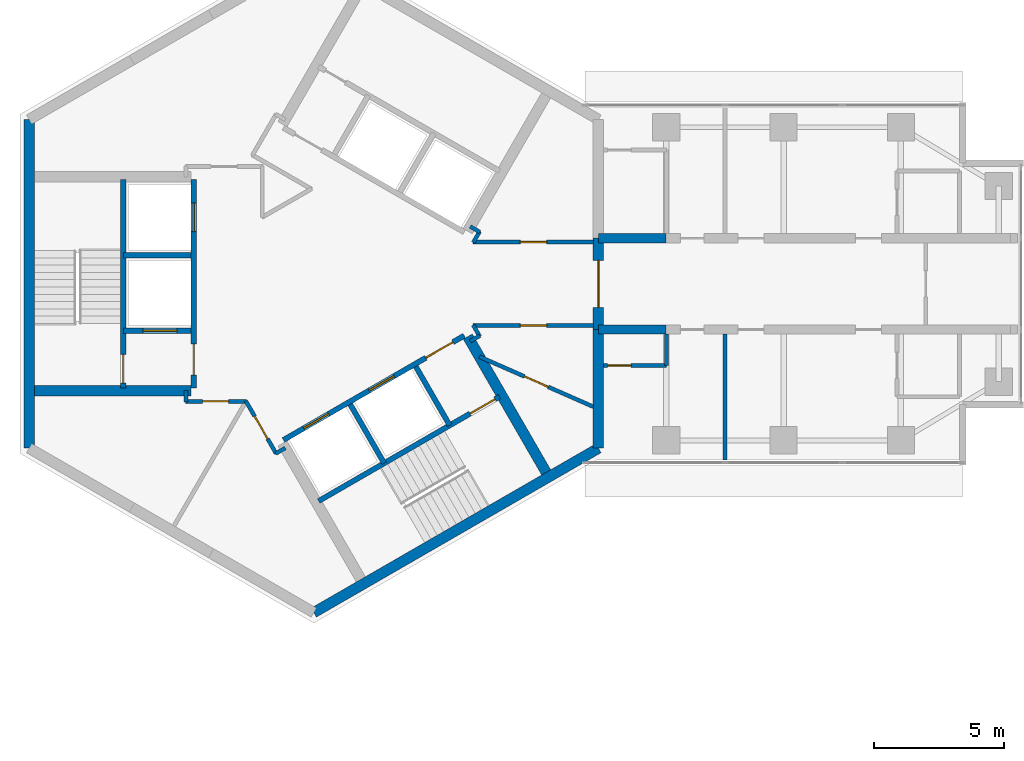
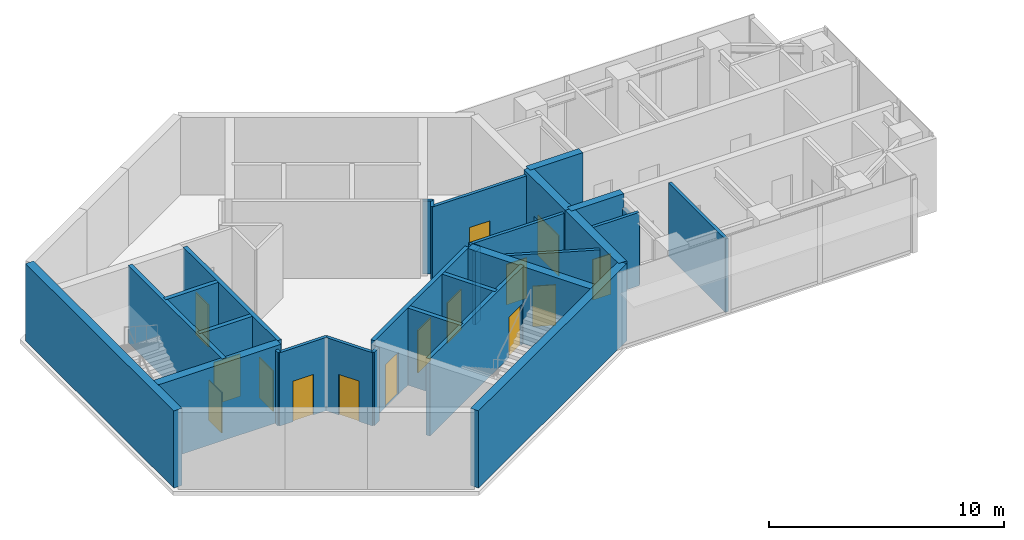
# One storey, part 5 of 11: 30 walls, 15 doors, 15 openings.
"""IFC4 building model written with IfcOpenShell, lengths in metres."""

from ifc_helpers import new_model, si_unit, direction, frame, frame_2d, origin, place, context, subcontext, project, spatial, rectangle, extrude, material, layer, layer_set, type_object, element, fill, save


model = new_model("IFC4")

# Units and contexts
model_context = context("Model", 3, precision=1e-05, world=origin(), true_north=direction((0.0, 1.0)))
body_context = subcontext(model_context, "Body", "Model", "MODEL_VIEW")
ifc_project = project(units=[si_unit("LENGTHUNIT", "METRE"), si_unit("AREAUNIT", "SQUARE_METRE"), si_unit("VOLUMEUNIT", "CUBIC_METRE"), si_unit("PLANEANGLEUNIT", "RADIAN"), si_unit("MASSUNIT", "GRAM", prefix="KILO")], contexts=[model_context])

# Site, building, storey
site_placement = place(None, origin())
site = spatial("IfcSite", under=ifc_project, at=site_placement, CompositionType="ELEMENT")
building_placement = place(site_placement, origin())
building = spatial("IfcBuilding", under=site, at=building_placement, Name="Upepo Twin Towers", CompositionType="ELEMENT")
storey_placement = place(building_placement, frame((0.0, 0.0, 247.5)))
storey = spatial("IfcBuildingStorey", under=building, at=storey_placement, Name="L60", CompositionType="ELEMENT", Elevation=247.5)

# Walls
ifc_material_1 = material(Name="Concrete C60/75", Category="concrete")
ifc_layer_1 = layer(ifc_material_1, 0.35009765625)
ifc_layer_set_1 = layer_set([ifc_layer_1], Name="Concrete C60/75")
wall_type_1 = type_object("IfcWallType", Name="Buttress wall 350 RC", PredefinedType="SHEAR", material=ifc_layer_set_1)
for number, where, z_axis, x_axis, name in (
    (1, (10.908447265625, 1.75, 0.0), (0.0, 0.0, 1.0), (1.0, 0.0, 0.0), "T1 wing A buttress wall L"),
    (2, (10.908447265625, -1.75, 0.0), (0.0, 0.0, 1.0), (1.0, 0.0, 0.0), "T1 wing A buttress wall R"),
):
    element("IfcWall", number, at=place(storey_placement, frame(where, z_axis=z_axis, x_axis=x_axis)), inside=storey, type_object=wall_type_1, Name=name, PredefinedType="SHEAR", context=body_context, shape_type="SweptSolid", body=[
        extrude(rectangle(XDim=2.591552734375, YDim=0.35009765625, at=frame_2d((1.2958984375, 0.0))), origin(), (0.0, 0.0, 1.0), 4.0),
    ])
ifc_material_2 = material(Name="Concrete C60/75", Category="concrete")
ifc_layer_2 = layer(ifc_material_2, 0.39990234375)
ifc_layer_set_2 = layer_set([ifc_layer_2], Name="Concrete C60/75")
wall_type_2 = type_object("IfcWallType", Name="Core wall 400 RC", PredefinedType="SHEAR", material=ifc_layer_set_2)
wall_1_placement = place(storey_placement, frame((10.908447265625, -6.2978515625, 0.0), z_axis=(0.0, 0.0, 1.0), x_axis=(0.0, 1.0, 0.0)))
element("IfcWall", 3, at=wall_1_placement, inside=storey, type_object=wall_type_2, Name="T1 core wall 000 R", PredefinedType="SHEAR", context=body_context, shape_type="SweptSolid", body=[
    extrude(rectangle(XDim=4.5478515625, YDim=0.39990234375, at=frame_2d((2.27392578125, 0.0))), origin(), (0.0, 0.0, 1.0), 4.0),
])

# Wall, opening, door
wall_2_placement = place(storey_placement, frame((10.908447265625, -1.75, 0.0), z_axis=(0.0, 0.0, 1.0), x_axis=(0.0, 1.0, 0.0)))
wall_2 = element("IfcWall", 4, at=wall_2_placement, inside=storey, type_object=wall_type_2, Name="T1 core wall 000", PredefinedType="SHEAR", context=body_context, shape_type="SweptSolid", body=[
    extrude(rectangle(XDim=3.5, YDim=0.39990234375, at=frame_2d((1.75, 0.0))), origin(), (0.0, 0.0, 1.0), 4.0),
])
opening_1_placement = place(wall_2_placement, frame((0.85009765625, 0.0, 0.0)))
opening_1 = element("IfcOpeningElement", 5, at=opening_1_placement, cuts=wall_2, Name="Opening D2", PredefinedType="OPENING", context=body_context, shape_type="SweptSolid", body=[
    extrude(rectangle(XDim=1.800048828125, YDim=2.10009765625, at=frame_2d((0.89990234375, 1.050048828125))), frame((0.0, 0.2099609375, 0.0), z_axis=(0.0, -1.0, 0.0), x_axis=(1.0, 0.0, 0.0)), (0.0, 0.0, 1.0), 0.419921875),
])
ifc_material_3 = material(Name="Timber doorset", Category="wood")
door_type_1 = type_object("IfcDoorType", Name="Corridor double door 1800 FD60", OperationType="DOUBLE_DOOR_DOUBLE_SWING", PredefinedType="DOOR", material=ifc_material_3)
door_1_placement = place(opening_1_placement, origin())
door_1 = element("IfcDoor", 6, at=door_1_placement, inside=storey, type_object=door_type_1, Name="T1 L60 wing A corridor door", OperationType="DOUBLE_DOOR_DOUBLE_SWING", OverallHeight=2.10009765625, OverallWidth=1.800048828125, PredefinedType="DOOR", context=body_context, shape_type="SweptSolid", body=[
    extrude(rectangle(XDim=1.800048828125, YDim=2.10009765625, at=frame_2d((0.89990234375, 1.050048828125))), frame((0.0, 0.02490234375, 0.0), z_axis=(0.0, -1.0, 0.0), x_axis=(1.0, 0.0, 0.0)), (0.0, 0.0, 1.0), 0.050048828125),
])
fill(opening_1, door_1)

# Walls
wall_3_placement = place(storey_placement, frame((-10.908447265625, 6.2978515625, 0.0), z_axis=(0.0, 0.0, 1.0), x_axis=(0.0, -1.0, 0.0)))
element("IfcWall", 7, at=wall_3_placement, inside=storey, type_object=wall_type_2, Name="T1 core wall 180", PredefinedType="SHEAR", context=body_context, shape_type="SweptSolid", body=[
    extrude(rectangle(XDim=12.595703125, YDim=0.39990234375, at=frame_2d((6.2978515625, 0.0))), origin(), (0.0, 0.0, 1.0), 4.0),
])
wall_4_placement = place(storey_placement, frame((0.0, -12.595947265625, 0.0), z_axis=(0.0, 0.0, 1.0), x_axis=(0.866021940709, 0.500005998175, 0.0)))
element("IfcWall", 8, at=wall_4_placement, inside=storey, type_object=wall_type_2, Name="T1 core wall 300", PredefinedType="SHEAR", context=body_context, shape_type="SweptSolid", body=[
    extrude(rectangle(XDim=12.595947265625, YDim=0.39990234375, at=frame_2d((6.2978515625, 0.0))), origin(), (0.0, 0.0, 1.0), 4.0),
])

# Wall, openings, doors
ifc_material_4 = material(Name="Concrete C40/50", Category="concrete")
ifc_layer_3 = layer(ifc_material_4, 0.199951171875)
ifc_layer_set_3 = layer_set([ifc_layer_3], Name="Concrete C40/50")
wall_type_3 = type_object("IfcWallType", Name="Shaft wall 200 RC", PredefinedType="SHEAR", material=ifc_layer_set_3)
wall_5_placement = place(storey_placement, frame((-4.60009765625, 4.0, 0.0), z_axis=(0.0, 0.0, 1.0), x_axis=(0.0, -1.0, 0.0)))
wall_5 = element("IfcWall", 9, at=wall_5_placement, inside=storey, type_object=wall_type_3, Name="T1 core W180 front wall", PredefinedType="SHEAR", context=body_context, shape_type="SweptSolid", body=[
    extrude(rectangle(XDim=8.0, YDim=0.199951171875, at=frame_2d((4.0, 0.0))), origin(), (0.0, 0.0, 1.0), 4.0),
])
opening_2_placement = place(wall_5_placement, frame((6.300048828125, 0.0, 0.0)))
opening_2 = element("IfcOpeningElement", 10, at=opening_2_placement, cuts=wall_5, Name="Opening D4", PredefinedType="OPENING", context=body_context, shape_type="SweptSolid", body=[
    extrude(rectangle(XDim=1.199951171875, YDim=2.10009765625, at=frame_2d((0.60009765625, 1.050048828125))), frame((0.0, 0.10986328125, 0.0), z_axis=(0.0, -1.0, 0.0), x_axis=(1.0, 0.0, 0.0)), (0.0, 0.0, 1.0), 0.219970703125),
])
opening_3_placement = place(wall_5_placement, frame((0.89990234375, 0.0, 0.0)))
opening_3 = element("IfcOpeningElement", 11, at=opening_3_placement, cuts=wall_5, Name="Opening LD1", PredefinedType="OPENING", context=body_context, shape_type="SweptSolid", body=[
    extrude(rectangle(XDim=1.10009765625, YDim=2.199951171875, at=frame_2d((0.550048828125, 1.10009765625))), frame((0.0, 0.10986328125, 0.0), z_axis=(0.0, -1.0, 0.0), x_axis=(1.0, 0.0, 0.0)), (0.0, 0.0, 1.0), 0.219970703125),
])
ifc_material_5 = material(Name="Steel doorset", Category="steel")
door_type_2 = type_object("IfcDoorType", Name="Lift landing door 1100", OperationType="DOUBLE_DOOR_SLIDING", PredefinedType="DOOR", material=ifc_material_5)
door_2_placement = place(opening_3_placement, origin())
door_2 = element("IfcDoor", 12, at=door_2_placement, inside=storey, type_object=door_type_2, Name="T1 L60 lift SV1 landing door", OperationType="DOUBLE_DOOR_SLIDING", OverallHeight=2.199951171875, OverallWidth=1.10009765625, PredefinedType="DOOR", context=body_context, shape_type="SweptSolid", body=[
    extrude(rectangle(XDim=1.10009765625, YDim=2.199951171875, at=frame_2d((0.550048828125, 1.10009765625))), frame((0.0, 0.02490234375, 0.0), z_axis=(0.0, -1.0, 0.0), x_axis=(1.0, 0.0, 0.0)), (0.0, 0.0, 1.0), 0.050048828125),
])
fill(opening_3, door_2)
ifc_material_6 = material(Name="Timber doorset", Category="wood")
door_type_3 = type_object("IfcDoorType", Name="Lobby door 1200 FD60", OperationType="SINGLE_SWING_LEFT", PredefinedType="DOOR", material=ifc_material_6)
door_3_placement = place(opening_2_placement, origin())
door_3 = element("IfcDoor", 13, at=door_3_placement, inside=storey, type_object=door_type_3, Name="T1 L60 W180 lobby door", OperationType="SINGLE_SWING_RIGHT", OverallHeight=2.10009765625, OverallWidth=1.199951171875, PredefinedType="DOOR", context=body_context, shape_type="SweptSolid", body=[
    extrude(rectangle(XDim=1.199951171875, YDim=2.10009765625, at=frame_2d((0.60009765625, 1.050048828125))), frame((0.0, 0.02490234375, 0.0), z_axis=(0.0, -1.0, 0.0), x_axis=(1.0, 0.0, 0.0)), (0.0, 0.0, 1.0), 0.050048828125),
])
fill(opening_2, door_3)

# Wall
wall_6_placement = place(storey_placement, frame((-4.699951171875, 1.10009765625, 0.0), z_axis=(0.0, 0.0, 1.0), x_axis=(-1.0, 0.0, 0.0)))
element("IfcWall", 14, at=wall_6_placement, inside=storey, type_object=wall_type_3, Name="T1 core W180 shaft divider", PredefinedType="SHEAR", context=body_context, shape_type="SweptSolid", body=[
    extrude(rectangle(XDim=2.60009765625, YDim=0.199951171875, at=frame_2d((1.300048828125, 0.0))), origin(), (0.0, 0.0, 1.0), 4.0),
])

# Wall, opening, door
wall_7_placement = place(storey_placement, frame((-4.699951171875, -1.800048828125, 0.0), z_axis=(0.0, 0.0, 1.0), x_axis=(-1.0, 0.0, 0.0)))
wall_7 = element("IfcWall", 15, at=wall_7_placement, inside=storey, type_object=wall_type_3, Name="T1 core W180 lobby wall", PredefinedType="SHEAR", context=body_context, shape_type="SweptSolid", body=[
    extrude(rectangle(XDim=2.60009765625, YDim=0.199951171875, at=frame_2d((1.300048828125, 0.0))), origin(), (0.0, 0.0, 1.0), 4.0),
])
opening_4_placement = place(wall_7_placement, frame((0.550048828125, 0.0, 0.0)))
opening_4 = element("IfcOpeningElement", 16, at=opening_4_placement, cuts=wall_7, Name="Opening LD2", PredefinedType="OPENING", context=body_context, shape_type="SweptSolid", body=[
    extrude(rectangle(XDim=1.300048828125, YDim=2.199951171875, at=frame_2d((0.64990234375, 1.10009765625))), frame((0.0, 0.10986328125, 0.0), z_axis=(0.0, -1.0, 0.0), x_axis=(1.0, 0.0, 0.0)), (0.0, 0.0, 1.0), 0.219970703125),
])
ifc_material_7 = material(Name="Steel doorset", Category="steel")
door_type_4 = type_object("IfcDoorType", Name="Firefighting lift landing door 1300", OperationType="DOUBLE_DOOR_SLIDING", PredefinedType="DOOR", material=ifc_material_7)
door_4_placement = place(opening_4_placement, origin())
door_4 = element("IfcDoor", 17, at=door_4_placement, inside=storey, type_object=door_type_4, Name="T1 L60 firefighting lift landing door", OperationType="DOUBLE_DOOR_SLIDING", OverallHeight=2.199951171875, OverallWidth=1.300048828125, PredefinedType="DOOR", context=body_context, shape_type="SweptSolid", body=[
    extrude(rectangle(XDim=1.300048828125, YDim=2.199951171875, at=frame_2d((0.64990234375, 1.10009765625))), frame((0.0, 0.02490234375, 0.0), z_axis=(0.0, -1.0, 0.0), x_axis=(1.0, 0.0, 0.0)), (0.0, 0.0, 1.0), 0.050048828125),
])
fill(opening_4, door_4)

wall_8_placement = place(storey_placement, frame((-7.300048828125, 4.0, 0.0), z_axis=(0.0, 0.0, 1.0), x_axis=(0.0, -1.0, 0.0)))
wall_8 = element("IfcWall", 18, at=wall_8_placement, inside=storey, type_object=wall_type_3, Name="T1 core W180 stair wall", PredefinedType="SHEAR", context=body_context, shape_type="SweptSolid", body=[
    extrude(rectangle(XDim=8.0, YDim=0.199951171875, at=frame_2d((4.0, 0.0))), origin(), (0.0, 0.0, 1.0), 4.0),
])
opening_5_placement = place(wall_8_placement, frame((6.699951171875, 0.0, 0.0)))
opening_5 = element("IfcOpeningElement", 19, at=opening_5_placement, cuts=wall_8, Name="Opening D3", PredefinedType="OPENING", context=body_context, shape_type="SweptSolid", body=[
    extrude(rectangle(XDim=1.10009765625, YDim=2.10009765625, at=frame_2d((0.550048828125, 1.050048828125))), frame((0.0, 0.10986328125, 0.0), z_axis=(0.0, -1.0, 0.0), x_axis=(1.0, 0.0, 0.0)), (0.0, 0.0, 1.0), 0.219970703125),
])
ifc_material_8 = material(Name="Timber doorset", Category="wood")
door_type_5 = type_object("IfcDoorType", Name="Stair door 1100 FD60", OperationType="SINGLE_SWING_LEFT", PredefinedType="DOOR", material=ifc_material_8)
door_5_placement = place(opening_5_placement, origin())
door_5 = element("IfcDoor", 20, at=door_5_placement, inside=storey, type_object=door_type_5, Name="T1 L60 stair door", OperationType="SINGLE_SWING_RIGHT", OverallHeight=2.10009765625, OverallWidth=1.10009765625, PredefinedType="DOOR", context=body_context, shape_type="SweptSolid", body=[
    extrude(rectangle(XDim=1.10009765625, YDim=2.10009765625, at=frame_2d((0.550048828125, 1.050048828125))), frame((0.0, 0.02490234375, 0.0), z_axis=(0.0, -1.0, 0.0), x_axis=(1.0, 0.0, 0.0)), (0.0, 0.0, 1.0), 0.050048828125),
])
fill(opening_5, door_5)

# Wall, openings, doors
wall_9_placement = place(storey_placement, frame((-1.1640625, -5.983642578125, 0.0), z_axis=(0.0, 0.0, 1.0), x_axis=(0.866026010844, 0.49999894854, 0.0)))
wall_9 = element("IfcWall", 21, at=wall_9_placement, inside=storey, type_object=wall_type_3, Name="T1 core W300 front wall", PredefinedType="SHEAR", context=body_context, shape_type="SweptSolid", body=[
    extrude(rectangle(XDim=8.0, YDim=0.199951171875, at=frame_2d((4.0, 0.0))), origin(), (0.0, 0.0, 1.0), 4.0),
])
opening_6_placement = place(wall_9_placement, frame((6.300048828125, 0.0, 0.0)))
opening_6 = element("IfcOpeningElement", 22, at=opening_6_placement, cuts=wall_9, Name="Opening D4", PredefinedType="OPENING", context=body_context, shape_type="SweptSolid", body=[
    extrude(rectangle(XDim=1.199951171875, YDim=2.10009765625, at=frame_2d((0.60009765625, 1.050048828125))), frame((0.0, 0.10986328125, 0.0), z_axis=(0.0, -1.0, 0.0), x_axis=(1.0, 0.0, 0.0)), (0.0, 0.0, 1.0), 0.219970703125),
])
opening_7_placement = place(wall_9_placement, frame((0.89990234375, 0.0, 0.0)))
opening_7 = element("IfcOpeningElement", 23, at=opening_7_placement, cuts=wall_9, Name="Opening LD1", PredefinedType="OPENING", context=body_context, shape_type="SweptSolid", body=[
    extrude(rectangle(XDim=1.10009765625, YDim=2.199951171875, at=frame_2d((0.550048828125, 1.10009765625))), frame((0.0, 0.10986328125, 0.0), z_axis=(0.0, -1.0, 0.0), x_axis=(1.0, 0.0, 0.0)), (0.0, 0.0, 1.0), 0.219970703125),
])
opening_8_placement = place(wall_9_placement, frame((3.800048828125, 0.0, 0.0)))
opening_8 = element("IfcOpeningElement", 24, at=opening_8_placement, cuts=wall_9, Name="Opening LD1", PredefinedType="OPENING", context=body_context, shape_type="SweptSolid", body=[
    extrude(rectangle(XDim=1.10009765625, YDim=2.199951171875, at=frame_2d((0.550048828125, 1.10009765625))), frame((0.0, 0.10986328125, 0.0), z_axis=(0.0, -1.0, 0.0), x_axis=(1.0, 0.0, 0.0)), (0.0, 0.0, 1.0), 0.219970703125),
])
door_6_placement = place(opening_7_placement, origin())
door_6 = element("IfcDoor", 25, at=door_6_placement, inside=storey, type_object=door_type_2, Name="T1 L60 lift TL1 landing door", OperationType="DOUBLE_DOOR_SLIDING", OverallHeight=2.199951171875, OverallWidth=1.10009765625, PredefinedType="DOOR", context=body_context, shape_type="SweptSolid", body=[
    extrude(rectangle(XDim=1.10009765625, YDim=2.199951171875, at=frame_2d((0.550048828125, 1.10009765625))), frame((0.0, 0.02490234375, 0.0), z_axis=(0.0, -1.0, 0.0), x_axis=(1.0, 0.0, 0.0)), (0.0, 0.0, 1.0), 0.050048828125),
])
fill(opening_7, door_6)
door_7_placement = place(opening_8_placement, origin())
door_7 = element("IfcDoor", 26, at=door_7_placement, inside=storey, type_object=door_type_2, Name="T1 L60 lift TL2 landing door", OperationType="DOUBLE_DOOR_SLIDING", OverallHeight=2.199951171875, OverallWidth=1.10009765625, PredefinedType="DOOR", context=body_context, shape_type="SweptSolid", body=[
    extrude(rectangle(XDim=1.10009765625, YDim=2.199951171875, at=frame_2d((0.550048828125, 1.10009765625))), frame((0.0, 0.02490234375, 0.0), z_axis=(0.0, -1.0, 0.0), x_axis=(1.0, 0.0, 0.0)), (0.0, 0.0, 1.0), 0.050048828125),
])
fill(opening_8, door_7)
door_8_placement = place(opening_6_placement, origin())
door_8 = element("IfcDoor", 27, at=door_8_placement, inside=storey, type_object=door_type_3, Name="T1 L60 W300 lobby door", OperationType="SINGLE_SWING_RIGHT", OverallHeight=2.10009765625, OverallWidth=1.199951171875, PredefinedType="DOOR", context=body_context, shape_type="SweptSolid", body=[
    extrude(rectangle(XDim=1.199951171875, YDim=2.10009765625, at=frame_2d((0.60009765625, 1.050048828125))), frame((0.0, 0.02490234375, 0.0), z_axis=(0.0, -1.0, 0.0), x_axis=(1.0, 0.0, 0.0)), (0.0, 0.0, 1.0), 0.050048828125),
])
fill(opening_6, door_8)

# Walls
wall_10_placement = place(storey_placement, frame((1.3974609375, -4.620361328125, 0.0), z_axis=(0.0, 0.0, 1.0), x_axis=(0.499936506574, -0.866062058628, 0.0)))
element("IfcWall", 28, at=wall_10_placement, inside=storey, type_object=wall_type_3, Name="T1 core W300 shaft divider", PredefinedType="SHEAR", context=body_context, shape_type="SweptSolid", body=[
    extrude(rectangle(XDim=2.599853515625, YDim=0.199951171875, at=frame_2d((1.2998046875, 0.0))), origin(), (0.0, 0.0, 1.0), 4.0),
])
wall_11_placement = place(storey_placement, frame((3.908935546875, -3.17041015625, 0.0), z_axis=(0.0, 0.0, 1.0), x_axis=(0.49997716683, -0.86603858612, 0.0)))
element("IfcWall", 29, at=wall_11_placement, inside=storey, type_object=wall_type_3, Name="T1 core W300 lobby wall", PredefinedType="SHEAR", context=body_context, shape_type="SweptSolid", body=[
    extrude(rectangle(XDim=2.599609375, YDim=0.199951171875, at=frame_2d((1.2998046875, 0.0))), origin(), (0.0, 0.0, 1.0), 4.0),
])

# Wall, opening, door
wall_12_placement = place(storey_placement, frame((0.185791015625, -8.322021484375, 0.0), z_axis=(0.0, 0.0, 1.0), x_axis=(0.866026010844, 0.49999894854, 0.0)))
wall_12 = element("IfcWall", 30, at=wall_12_placement, inside=storey, type_object=wall_type_3, Name="T1 core W300 stair wall", PredefinedType="SHEAR", context=body_context, shape_type="SweptSolid", body=[
    extrude(rectangle(XDim=8.0, YDim=0.199951171875, at=frame_2d((4.0, 0.0))), origin(), (0.0, 0.0, 1.0), 4.0),
])
opening_9_placement = place(wall_12_placement, frame((6.699951171875, 0.0, 0.0)))
opening_9 = element("IfcOpeningElement", 31, at=opening_9_placement, cuts=wall_12, Name="Opening D3", PredefinedType="OPENING", context=body_context, shape_type="SweptSolid", body=[
    extrude(rectangle(XDim=1.10009765625, YDim=2.10009765625, at=frame_2d((0.550048828125, 1.050048828125))), frame((0.0, 0.10986328125, 0.0), z_axis=(0.0, -1.0, 0.0), x_axis=(1.0, 0.0, 0.0)), (0.0, 0.0, 1.0), 0.219970703125),
])
door_9_placement = place(opening_9_placement, origin())
door_9 = element("IfcDoor", 32, at=door_9_placement, inside=storey, type_object=door_type_5, Name="T1 L60 stair door", OperationType="SINGLE_SWING_RIGHT", OverallHeight=2.10009765625, OverallWidth=1.10009765625, PredefinedType="DOOR", context=body_context, shape_type="SweptSolid", body=[
    extrude(rectangle(XDim=1.10009765625, YDim=2.10009765625, at=frame_2d((0.550048828125, 1.050048828125))), frame((0.0, 0.02490234375, 0.0), z_axis=(0.0, -1.0, 0.0), x_axis=(1.0, 0.0, 0.0)), (0.0, 0.0, 1.0), 0.050048828125),
])
fill(opening_9, door_9)

# Walls
ifc_material_9 = material(Name="Concrete C40/50", Category="concrete")
ifc_layer_4 = layer(ifc_material_9, 0.39990234375)
ifc_layer_set_4 = layer_set([ifc_layer_4], Name="Concrete C40/50")
wall_type_4 = type_object("IfcWallType", Name="Shaft wall 400 RC", PredefinedType="SHEAR", material=ifc_layer_set_4)
for number, where, z_axis, x_axis, name in (
    (33, (-4.699951171875, -4.10009765625, 0.0), (0.0, 0.0, 1.0), (-1.0, 0.0, 0.0), "T1 core W180 side wall N"),
    (34, (5.900634765625, -2.020263671875, 0.0), (0.0, 0.0, 1.0), (0.499997979876, -0.866026570101, 0.0), "T1 core W300 side wall N"),
):
    element("IfcWall", number, at=place(storey_placement, frame(where, z_axis=z_axis, x_axis=x_axis)), inside=storey, type_object=wall_type_4, Name=name, PredefinedType="SHEAR", context=body_context, shape_type="SweptSolid", body=[
        extrude(rectangle(XDim=6.00830078125, YDim=0.39990234375, at=frame_2d((3.004150390625, 0.0))), origin(), (0.0, 0.0, 1.0), 4.0),
    ])
ifc_material_10 = material(Name="Gypsum board on steel studs", Category="steel")
ifc_layer_5 = layer(ifc_material_10, 0.14990234375)
ifc_layer_set_5 = layer_set([ifc_layer_5], Name="Teaching partition 150 acoustic")
wall_type_5 = type_object("IfcWallType", Name="Teaching partition 150 acoustic", PredefinedType="PARTITIONING", material=ifc_layer_set_5)
wall_13_placement = place(storey_placement, frame((15.75, -1.925048828125, 0.0), z_axis=(0.0, 0.0, 1.0), x_axis=(0.0, -1.0, 0.0)))
element("IfcWall", 35, at=wall_13_placement, inside=storey, type_object=wall_type_5, Name="T1 partition AR at 15.75", PredefinedType="PARTITIONING", context=body_context, shape_type="SweptSolid", body=[
    extrude(rectangle(XDim=4.824951171875, YDim=0.14990234375, at=frame_2d((2.41259765625, 0.0))), origin(), (0.0, 0.0, 1.0), 3.800048828125),
])

# Wall, opening, door
wall_14_placement = place(storey_placement, frame((11.10791015625, -3.125, 0.0), z_axis=(0.0, 0.0, 1.0), x_axis=(1.0, 0.0, 0.0)))
wall_14 = element("IfcWall", 36, at=wall_14_placement, inside=storey, type_object=wall_type_5, Name="T1 WC bay partition AR at 11.11", PredefinedType="PARTITIONING", context=body_context, shape_type="SweptSolid", body=[
    extrude(rectangle(XDim=2.400146484375, YDim=0.14990234375, at=frame_2d((1.2001953125, 0.0))), origin(), (0.0, 0.0, 1.0), 3.800048828125),
])
opening_10_placement = place(wall_14_placement, frame((0.14990234375, 0.0, 0.0)))
opening_10 = element("IfcOpeningElement", 37, at=opening_10_placement, cuts=wall_14, Name="Opening D14", PredefinedType="OPENING", context=body_context, shape_type="SweptSolid", body=[
    extrude(rectangle(XDim=0.89990234375, YDim=2.10009765625, at=frame_2d((0.449951171875, 1.050048828125))), frame((0.0, 0.0849609375, 0.0), z_axis=(0.0, -1.0, 0.0), x_axis=(1.0, 0.0, 0.0)), (0.0, 0.0, 1.0), 0.169921875),
])
ifc_material_11 = material(Name="Timber doorset", Category="wood")
door_type_6 = type_object("IfcDoorType", Name="Office door 900 FD30", OperationType="SINGLE_SWING_LEFT", PredefinedType="DOOR", material=ifc_material_11)
door_10_placement = place(opening_10_placement, origin())
door_10 = element("IfcDoor", 38, at=door_10_placement, inside=storey, type_object=door_type_6, Name="T1 L60 WC bay inner room door", OperationType="SINGLE_SWING_LEFT", OverallHeight=2.10009765625, OverallWidth=0.89990234375, PredefinedType="DOOR", context=body_context, shape_type="SweptSolid", body=[
    extrude(rectangle(XDim=0.89990234375, YDim=2.10009765625, at=frame_2d((0.449951171875, 1.050048828125))), frame((0.0, 0.02490234375, 0.0), z_axis=(0.0, -1.0, 0.0), x_axis=(1.0, 0.0, 0.0)), (0.0, 0.0, 1.0), 0.050048828125),
])
fill(opening_10, door_10)

# Walls
wall_15_placement = place(storey_placement, frame((13.508056640625, -1.925048828125, 0.0), z_axis=(0.0, 0.0, 1.0), x_axis=(0.0, -1.0, 0.0)))
element("IfcWall", 39, at=wall_15_placement, inside=storey, type_object=wall_type_5, Name="T1 WC bay partition AR end at 13.51", PredefinedType="PARTITIONING", context=body_context, shape_type="SweptSolid", body=[
    extrude(rectangle(XDim=1.199951171875, YDim=0.14990234375, at=frame_2d((0.60009765625, 0.0))), origin(), (0.0, 0.0, 1.0), 3.266845703125),
])
for number, where, z_axis, x_axis, name in (
    (40, (6.364501953125, -1.9833984375, 0.0), (0.0, 0.0, 1.0), (-0.865892400268, -0.500230298122, 0.0), "T1 core room partition 1"),
    (41, (-1.092041015625, -6.28857421875, 0.0), (0.0, 0.0, 1.0), (-0.866138304741, -0.499804398801, 0.0), "T1 core room partition 2"),
):
    element("IfcWall", number, at=place(storey_placement, frame(where, z_axis=z_axis, x_axis=x_axis)), inside=storey, type_object=wall_type_5, Name=name, PredefinedType="PARTITIONING", context=body_context, shape_type="SweptSolid", body=[
        extrude(rectangle(XDim=0.429931640625, YDim=0.14990234375, at=frame_2d((0.21484375, 0.0))), origin(), (0.0, 0.0, 1.0), 3.800048828125),
    ])

# Wall, opening, door
wall_16_placement = place(storey_placement, frame((-1.43701171875, -6.5107421875, 0.0), z_axis=(0.0, 0.0, 1.0), x_axis=(-0.500074377092, 0.865982457891, 0.0)))
wall_16 = element("IfcWall", 42, at=wall_16_placement, inside=storey, type_object=wall_type_5, Name="T1 core room partition 3", PredefinedType="PARTITIONING", context=body_context, shape_type="SweptSolid", body=[
    extrude(rectangle(XDim=2.342041015625, YDim=0.14990234375, at=frame_2d((1.1708984375, 0.0))), origin(), (0.0, 0.0, 1.0), 3.800048828125),
])
opening_11_placement = place(wall_16_placement, frame((0.660888671875, 0.0, 0.0)))
opening_11 = element("IfcOpeningElement", 43, at=opening_11_placement, cuts=wall_16, Name="Opening D1", PredefinedType="OPENING", context=body_context, shape_type="SweptSolid", body=[
    extrude(rectangle(XDim=1.0, YDim=2.10009765625, at=frame_2d((0.5, 1.050048828125))), frame((0.0, 0.0849609375, 0.0), z_axis=(0.0, -1.0, 0.0), x_axis=(1.0, 0.0, 0.0)), (0.0, 0.0, 1.0), 0.169921875),
])
ifc_material_12 = material(Name="Timber doorset", Category="wood")
door_type_7 = type_object("IfcDoorType", Name="Room door 1000 FD30", OperationType="SINGLE_SWING_LEFT", PredefinedType="DOOR", material=ifc_material_12)
door_11_placement = place(opening_11_placement, origin())
door_11 = element("IfcDoor", 44, at=door_11_placement, inside=storey, type_object=door_type_7, Name="T1 L60 core room door K2", OperationType="SINGLE_SWING_LEFT", OverallHeight=2.10009765625, OverallWidth=1.0, PredefinedType="DOOR", context=body_context, shape_type="SweptSolid", body=[
    extrude(rectangle(XDim=1.0, YDim=2.10009765625, at=frame_2d((0.5, 1.050048828125))), frame((0.0, 0.02490234375, 0.0), z_axis=(0.0, -1.0, 0.0), x_axis=(1.0, 0.0, 0.0)), (0.0, 0.0, 1.0), 0.050048828125),
])
fill(opening_11, door_11)

wall_17_placement = place(storey_placement, frame((-2.578125, -4.5, 0.0), z_axis=(0.0, 0.0, 1.0), x_axis=(-1.0, 0.0, 0.0)))
wall_17 = element("IfcWall", 45, at=wall_17_placement, inside=storey, type_object=wall_type_5, Name="T1 core room partition 4", PredefinedType="PARTITIONING", context=body_context, shape_type="SweptSolid", body=[
    extrude(rectangle(XDim=2.341796875, YDim=0.14990234375, at=frame_2d((1.1708984375, 0.0))), origin(), (0.0, 0.0, 1.0), 3.800048828125),
])
opening_12_placement = place(wall_17_placement, frame((0.68115234375, 0.0, 0.0)))
opening_12 = element("IfcOpeningElement", 46, at=opening_12_placement, cuts=wall_17, Name="Opening D1", PredefinedType="OPENING", context=body_context, shape_type="SweptSolid", body=[
    extrude(rectangle(XDim=1.0, YDim=2.10009765625, at=frame_2d((0.5, 1.050048828125))), frame((0.0, 0.0849609375, 0.0), z_axis=(0.0, -1.0, 0.0), x_axis=(1.0, 0.0, 0.0)), (0.0, 0.0, 1.0), 0.169921875),
])
door_12_placement = place(opening_12_placement, origin())
door_12 = element("IfcDoor", 47, at=door_12_placement, inside=storey, type_object=door_type_7, Name="T1 L60 core room door K1", OperationType="SINGLE_SWING_RIGHT", OverallHeight=2.10009765625, OverallWidth=1.0, PredefinedType="DOOR", context=body_context, shape_type="SweptSolid", body=[
    extrude(rectangle(XDim=1.0, YDim=2.10009765625, at=frame_2d((0.5, 1.050048828125))), frame((0.0, 0.02490234375, 0.0), z_axis=(0.0, -1.0, 0.0), x_axis=(1.0, 0.0, 0.0)), (0.0, 0.0, 1.0), 0.050048828125),
])
fill(opening_12, door_12)

# Walls
for number, where, z_axis, x_axis, name in (
    (48, (-4.89990234375, -4.52001953125, 0.0), (0.0, 0.0, 1.0), (0.0, 1.0, 0.0), "T1 core room partition 5"),
    (49, (5.9921875, 2.198486328125, 0.0), (0.0, 0.0, 1.0), (0.865892400268, -0.500230298122, 0.0), "T1 core room partition 13"),
):
    element("IfcWall", number, at=place(storey_placement, frame(where, z_axis=z_axis, x_axis=x_axis)), inside=storey, type_object=wall_type_5, Name=name, PredefinedType="PARTITIONING", context=body_context, shape_type="SweptSolid", body=[
        extrude(rectangle(XDim=0.429931640625, YDim=0.14990234375, at=frame_2d((0.21484375, 0.0))), origin(), (0.0, 0.0, 1.0), 3.800048828125),
    ])
wall_18_placement = place(storey_placement, frame((6.357177734375, 2.0107421875, 0.0), z_axis=(0.0, 0.0, 1.0), x_axis=(-0.50033519877, -0.865831790172, 0.0)))
element("IfcWall", 50, at=wall_18_placement, inside=storey, type_object=wall_type_5, Name="T1 core room partition 14", PredefinedType="PARTITIONING", context=body_context, shape_type="SweptSolid", body=[
    extrude(rectangle(XDim=0.494384765625, YDim=0.14990234375, at=frame_2d((0.2470703125, 0.0))), origin(), (0.0, 0.0, 1.0), 3.800048828125),
])

# Wall, opening, door
wall_19_placement = place(storey_placement, frame((6.099853515625, 1.60009765625, 0.0), z_axis=(0.0, 0.0, 1.0), x_axis=(1.0, 0.0, 0.0)))
wall_19 = element("IfcWall", 51, at=wall_19_placement, inside=storey, type_object=wall_type_5, Name="T1 core room partition 15", PredefinedType="PARTITIONING", context=body_context, shape_type="SweptSolid", body=[
    extrude(rectangle(XDim=4.618408203125, YDim=0.14990234375, at=frame_2d((2.30908203125, 0.0))), origin(), (0.0, 0.0, 1.0), 3.800048828125),
])
opening_13_placement = place(wall_19_placement, frame((1.8193359375, 0.0, 0.0)))
opening_13 = element("IfcOpeningElement", 52, at=opening_13_placement, cuts=wall_19, Name="Opening D1", PredefinedType="OPENING", context=body_context, shape_type="SweptSolid", body=[
    extrude(rectangle(XDim=1.0, YDim=2.10009765625, at=frame_2d((0.5, 1.050048828125))), frame((0.0, 0.0849609375, 0.0), z_axis=(0.0, -1.0, 0.0), x_axis=(1.0, 0.0, 0.0)), (0.0, 0.0, 1.0), 0.169921875),
])
door_13_placement = place(opening_13_placement, origin())
door_13 = element("IfcDoor", 53, at=door_13_placement, inside=storey, type_object=door_type_7, Name="T1 L60 core room door K5", OperationType="SINGLE_SWING_RIGHT", OverallHeight=2.10009765625, OverallWidth=1.0, PredefinedType="DOOR", context=body_context, shape_type="SweptSolid", body=[
    extrude(rectangle(XDim=1.0, YDim=2.10009765625, at=frame_2d((0.5, 1.050048828125))), frame((0.0, 0.02490234375, 0.0), z_axis=(0.0, -1.0, 0.0), x_axis=(1.0, 0.0, 0.0)), (0.0, 0.0, 1.0), 0.050048828125),
])
fill(opening_13, door_13)

wall_20_placement = place(storey_placement, frame((10.71826171875, -1.60009765625, 0.0), z_axis=(0.0, 0.0, 1.0), x_axis=(-1.0, 0.0, 0.0)))
wall_20 = element("IfcWall", 54, at=wall_20_placement, inside=storey, type_object=wall_type_5, Name="T1 core room partition 16", PredefinedType="PARTITIONING", context=body_context, shape_type="SweptSolid", body=[
    extrude(rectangle(XDim=4.618408203125, YDim=0.14990234375, at=frame_2d((2.30908203125, 0.0))), origin(), (0.0, 0.0, 1.0), 3.800048828125),
])
opening_14_placement = place(wall_20_placement, frame((1.799072265625, 0.0, 0.0)))
opening_14 = element("IfcOpeningElement", 55, at=opening_14_placement, cuts=wall_20, Name="Opening D1", PredefinedType="OPENING", context=body_context, shape_type="SweptSolid", body=[
    extrude(rectangle(XDim=1.0, YDim=2.10009765625, at=frame_2d((0.5, 1.050048828125))), frame((0.0, 0.0849609375, 0.0), z_axis=(0.0, -1.0, 0.0), x_axis=(1.0, 0.0, 0.0)), (0.0, 0.0, 1.0), 0.169921875),
])
door_14_placement = place(opening_14_placement, origin())
door_14 = element("IfcDoor", 56, at=door_14_placement, inside=storey, type_object=door_type_7, Name="T1 L60 core room door K3", OperationType="SINGLE_SWING_LEFT", OverallHeight=2.10009765625, OverallWidth=1.0, PredefinedType="DOOR", context=body_context, shape_type="SweptSolid", body=[
    extrude(rectangle(XDim=1.0, YDim=2.10009765625, at=frame_2d((0.5, 1.050048828125))), frame((0.0, 0.02490234375, 0.0), z_axis=(0.0, -1.0, 0.0), x_axis=(1.0, 0.0, 0.0)), (0.0, 0.0, 1.0), 0.050048828125),
])
fill(opening_14, door_14)

# Wall
wall_21_placement = place(storey_placement, frame((6.10986328125, -1.582763671875, 0.0), z_axis=(0.0, 0.0, 1.0), x_axis=(0.50033519877, -0.865831790172, 0.0)))
element("IfcWall", 57, at=wall_21_placement, inside=storey, type_object=wall_type_5, Name="T1 core room partition 17", PredefinedType="PARTITIONING", context=body_context, shape_type="SweptSolid", body=[
    extrude(rectangle(XDim=0.494384765625, YDim=0.14990234375, at=frame_2d((0.2470703125, 0.0))), origin(), (0.0, 0.0, 1.0), 3.800048828125),
])

# Wall, opening, door
wall_22_placement = place(storey_placement, frame((6.344482421875, -2.7890625, 0.0), z_axis=(0.0, 0.0, 1.0), x_axis=(0.915438841787, -0.402457111937, 0.0)))
wall_22 = element("IfcWall", 58, at=wall_22_placement, inside=storey, type_object=wall_type_5, Name="T1 core room partition 19", PredefinedType="PARTITIONING", context=body_context, shape_type="SweptSolid", body=[
    extrude(rectangle(XDim=4.766845703125, YDim=0.14990234375, at=frame_2d((2.38330078125, 0.0))), origin(), (0.0, 0.0, 1.0), 3.800048828125),
])
opening_15_placement = place(wall_22_placement, frame((1.88330078125, 0.0, 0.0)))
opening_15 = element("IfcOpeningElement", 59, at=opening_15_placement, cuts=wall_22, Name="Opening D1", PredefinedType="OPENING", context=body_context, shape_type="SweptSolid", body=[
    extrude(rectangle(XDim=1.0, YDim=2.10009765625, at=frame_2d((0.5, 1.050048828125))), frame((0.0, 0.0849609375, 0.0), z_axis=(0.0, -1.0, 0.0), x_axis=(1.0, 0.0, 0.0)), (0.0, 0.0, 1.0), 0.169921875),
])
door_15_placement = place(opening_15_placement, origin())
door_15 = element("IfcDoor", 60, at=door_15_placement, inside=storey, type_object=door_type_7, Name="T1 L60 core room door K4", OperationType="SINGLE_SWING_LEFT", OverallHeight=2.10009765625, OverallWidth=1.0, PredefinedType="DOOR", context=body_context, shape_type="SweptSolid", body=[
    extrude(rectangle(XDim=1.0, YDim=2.10009765625, at=frame_2d((0.5, 1.050048828125))), frame((0.0, 0.02490234375, 0.0), z_axis=(0.0, -1.0, 0.0), x_axis=(1.0, 0.0, 0.0)), (0.0, 0.0, 1.0), 0.050048828125),
])
fill(opening_15, door_15)

save(model, "model.ifc")
